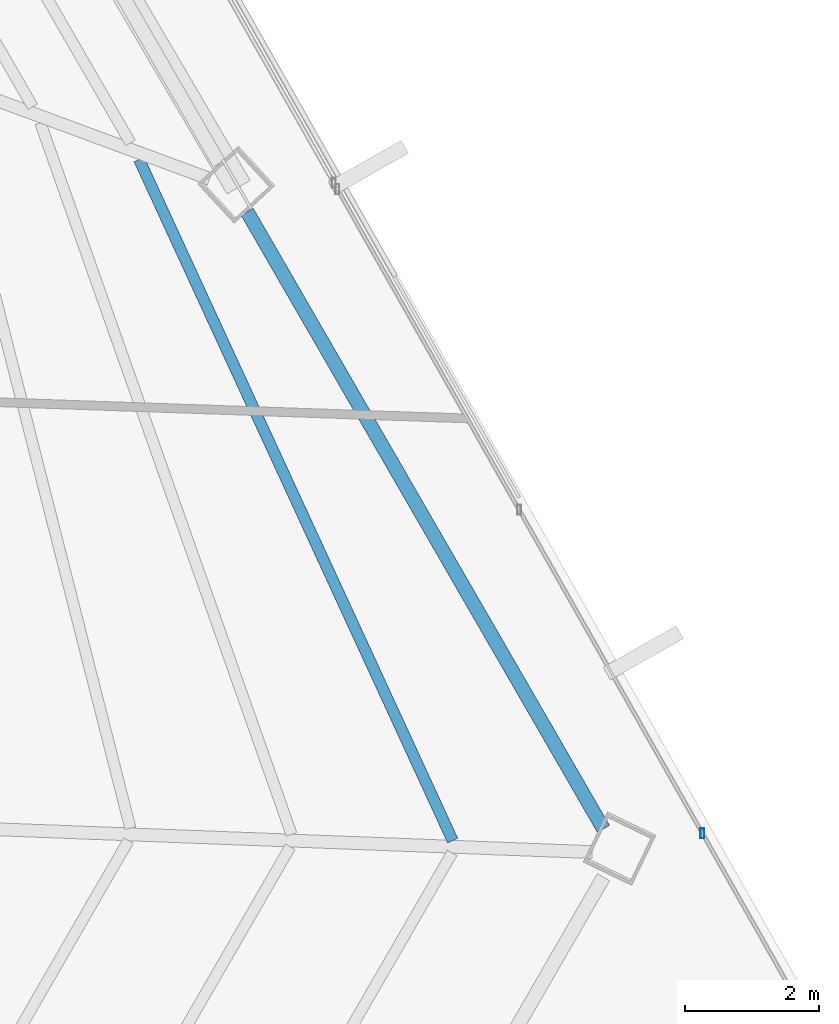
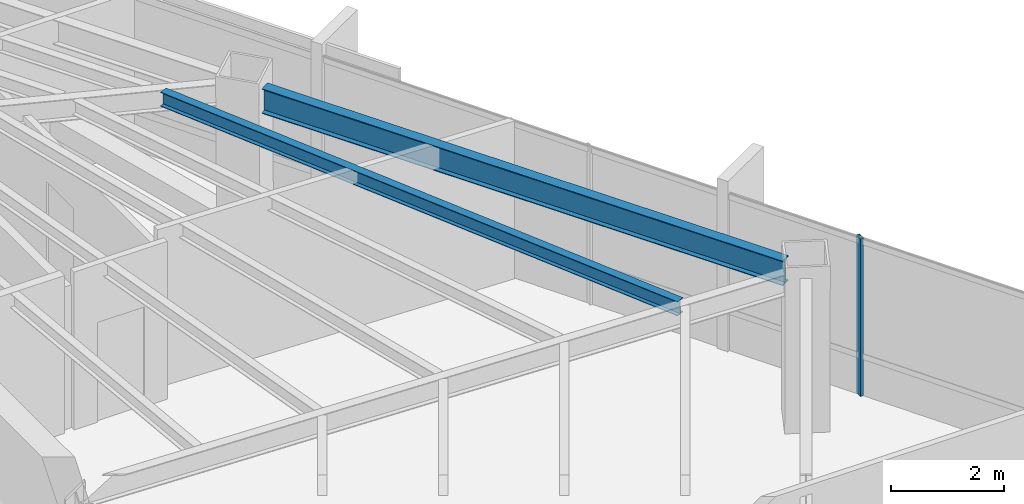
# One storey, part 22 of 40: 2 beams, 1 member, 1 element without a shape of its own.
"""IFC4 building model written with IfcOpenShell, lengths in metres."""

from ifc_helpers import new_model, si_unit, direction, frame, origin, origin_2d, place, context, subcontext, project, spatial, hollow_rectangle, i_section, extrude, source, transform, mapped, material, material_profile, profile_set, type_object, type_shapes, element, aggregate, save


model = new_model("IFC4")

# Units and contexts
model_context = context("Model", 3, precision=1e-05, world=origin(), true_north=direction((0.0, 1.0)))
body_context = subcontext(model_context, "Body", "Model", "MODEL_VIEW")
ifc_project = project(units=[si_unit("LENGTHUNIT", "METRE"), si_unit("AREAUNIT", "SQUARE_METRE"), si_unit("VOLUMEUNIT", "CUBIC_METRE"), si_unit("PLANEANGLEUNIT", "RADIAN"), si_unit("MASSUNIT", "GRAM", prefix="KILO")], contexts=[model_context])

# Site, building, storey
site_placement = place(None, origin())
site = spatial("IfcSite", under=ifc_project, at=site_placement, CompositionType="ELEMENT")
building_placement = place(site_placement, origin())
building = spatial("IfcBuilding", under=site, at=building_placement, Name="Caelisora Broadcast Tower", CompositionType="ELEMENT")
storey_placement = place(building_placement, frame((0.0, 0.0, 213.25)))
storey = spatial("IfcBuildingStorey", under=building, at=storey_placement, Name="L56", CompositionType="ELEMENT", Elevation=213.25)

# Beams
ifc_material_1 = material(Name="Steel Grade 350 (AS/NZS 3679.1)", Category="steel")
ifc_material_profile_1 = material_profile(ifc_material_1, i_section(OverallWidth=0.208984375, OverallDepth=0.532958984375, WebThickness=0.01025390625, FlangeThickness=0.015625, at=origin_2d()), Name="Steel Grade 350 (AS/NZS 3679.1)")
ifc_profile_set_1 = profile_set([ifc_material_profile_1], Name="Steel Grade 350 (AS/NZS 3679.1)")
beam_type_1 = type_object("IfcBeamType", Name="PG05", PredefinedType="BEAM", material=ifc_profile_set_1)
shared_shape_1 = source(origin(), body_context, "Body", "SweptSolid", [
    extrude(i_section(OverallWidth=0.208984375, OverallDepth=0.532958984375, WebThickness=0.01025390625, FlangeThickness=0.015625, at=origin_2d()), origin(), (0.0, 0.0, 1.0), 10.62255859375),
])
type_shapes(beam_type_1, [shared_shape_1])
beam_1_placement = place(storey_placement, frame((59.763427734375, 17.20556640625, 3.133544921875), z_axis=(-0.499997664454, 0.866026752208, 0.0), x_axis=(-0.866026752208, -0.499997664454, 0.0)))
element("IfcBeam", 1, at=beam_1_placement, inside=storey, type_object=beam_type_1, Name="L56 beam PG05", PredefinedType="BEAM", context=body_context, shape_type="MappedRepresentation", body=[
    mapped(shared_shape_1, transform((0.0, 0.0, 0.0), scale=1.0)),
])
ifc_material_profile_2 = material_profile(ifc_material_1, i_section(OverallWidth=0.166015625, OverallDepth=0.30712890625, WebThickness=0.006591796875, FlangeThickness=0.01171875, at=origin_2d()), Name="Steel Grade 350 (AS/NZS 3679.1)")
ifc_profile_set_2 = profile_set([ifc_material_profile_2], Name="Steel Grade 350 (AS/NZS 3679.1)")
beam_type_2 = type_object("IfcBeamType", Name="SB03", PredefinedType="JOIST", material=ifc_profile_set_2)
shared_shape_2 = source(origin(), body_context, "Body", "SweptSolid", [
    extrude(i_section(OverallWidth=0.166015625, OverallDepth=0.30712890625, WebThickness=0.006591796875, FlangeThickness=0.01171875, at=origin_2d()), origin(), (0.0, 0.0, 1.0), 11.176513671875),
])
type_shapes(beam_type_2, [shared_shape_2])
beam_2_placement = place(storey_placement, frame((57.51611328125, 17.0322265625, 3.246337890625), z_axis=(-0.418208837571, 0.908350905861, 0.0), x_axis=(-0.908350905861, -0.418208837571, 0.0)))
element("IfcBeam", 2, at=beam_2_placement, inside=storey, type_object=beam_type_2, Name="L56 beam SB03", PredefinedType="JOIST", context=body_context, shape_type="MappedRepresentation", body=[
    mapped(shared_shape_2, transform((0.0, 0.0, 0.0), scale=1.0)),
])

# Curtain wall, member
ifc_material_2 = material(Name="Unitised Aluminium and Low-E Glass Curtain Wall", Category="glass")
curtain_wall_type = type_object("IfcCurtainWallType", Name="CW-Z4", PredefinedType="NOTDEFINED", material=ifc_material_2)
curtain_wall_placement = place(storey_placement, origin())
curtain_wall = element("IfcCurtainWall", 3, at=curtain_wall_placement, inside=storey, type_object=curtain_wall_type, Name="L56 curtain wall CW-Z4", PredefinedType="NOTDEFINED")
ifc_material_3 = material(Name="Aluminium 6063-T6 Anodised Terracotta Bronze", Category="aluminium")
ifc_material_profile_3 = material_profile(ifc_material_3, hollow_rectangle(XDim=0.06005859375, YDim=0.14990234375, WallThickness=0.00341796875, at=origin_2d()), Name="Aluminium 6063-T6 Anodised Terracotta Bronze")
ifc_profile_set_3 = profile_set([ifc_material_profile_3], Name="Aluminium 6063-T6 Anodised Terracotta Bronze")
member_type = type_object("IfcMemberType", Name="CWM-03", PredefinedType="MULLION", material=ifc_profile_set_3)
shared_shape_3 = source(origin(), body_context, "Body", "SweptSolid", [
    extrude(hollow_rectangle(XDim=0.06005859375, YDim=0.14990234375, WallThickness=0.00341796875, at=origin_2d()), origin(), (0.0, 0.0, 1.0), 3.39990234375),
])
type_shapes(member_type, [shared_shape_3])
member_placement = place(storey_placement, frame((61.238037109375, 17.139892578125, 0.0), z_axis=(0.0, 0.0, 1.0), x_axis=(1.0, 0.0, 0.0)))
member = element("IfcMember", 4, at=member_placement, type_object=member_type, Name="L56-CW-B03 mullion #2", PredefinedType="MULLION", context=body_context, shape_type="MappedRepresentation", body=[
    mapped(shared_shape_3, transform((0.0, 0.0, 0.0), scale=1.0)),
])
aggregate(curtain_wall, [member])

save(model, "model.ifc")
